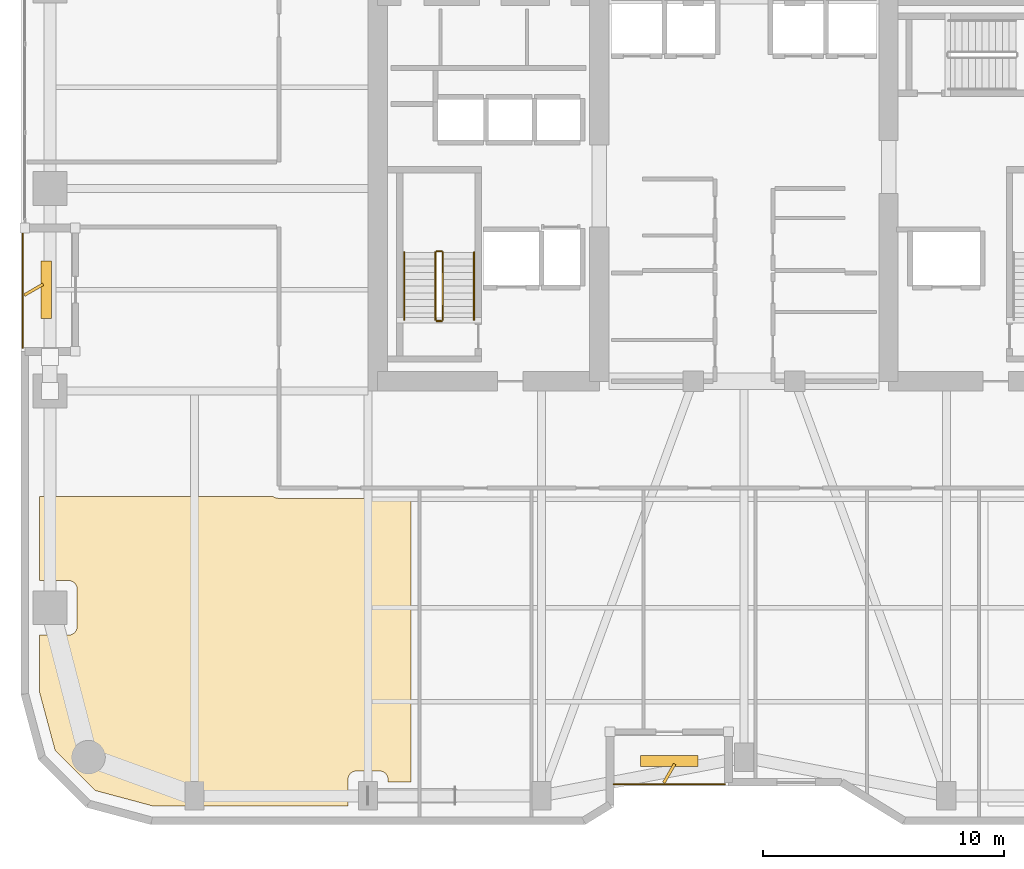
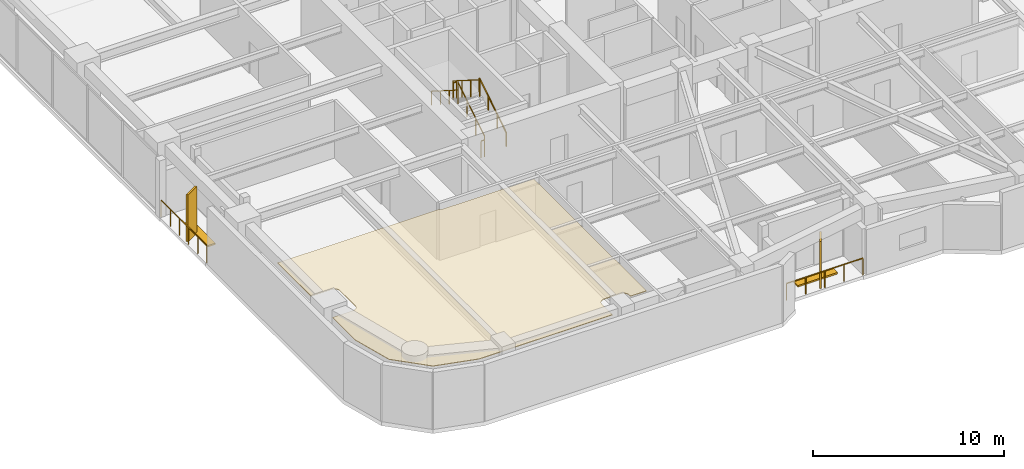
# One storey, part 22 of 24: 8 railings, 4 shading devices, 1 covering.
"""IFC4 building model written with IfcOpenShell, lengths in metres."""

from ifc_helpers import new_model, si_unit, direction, frame, origin, origin_2d, place, context, subcontext, project, spatial, polyline, rectangle, outline, extrude, material, layer, layer_set, type_object, element, save


model = new_model("IFC4")

# Units and contexts
model_context = context("Model", 3, precision=1e-05, world=origin(), true_north=direction((0.0, 1.0)))
body_context = subcontext(model_context, "Body", "Model", "MODEL_VIEW")
ifc_project = project(units=[si_unit("LENGTHUNIT", "METRE"), si_unit("AREAUNIT", "SQUARE_METRE"), si_unit("VOLUMEUNIT", "CUBIC_METRE"), si_unit("PLANEANGLEUNIT", "RADIAN"), si_unit("MASSUNIT", "GRAM", prefix="KILO")], contexts=[model_context])

# Site, building, storey
site_placement = place(None, origin())
site = spatial("IfcSite", under=ifc_project, at=site_placement, CompositionType="ELEMENT")
building_placement = place(site_placement, origin())
building = spatial("IfcBuilding", under=site, at=building_placement, Name="Kiyonajd Concourse Tower", CompositionType="ELEMENT")
storey_placement = place(building_placement, frame((0.0, 0.0, 129.89990234375)))
storey = spatial("IfcBuildingStorey", under=building, at=storey_placement, Name="L33", CompositionType="ELEMENT", Elevation=129.89990234375)

# Covering
ifc_material_1 = material(Name="Natural Oak Acoustic Timber Veneer", Category="wood")
ifc_layer = layer(ifc_material_1, 0.0400390625)
ifc_layer_set = layer_set([ifc_layer], Name="Natural Oak Acoustic Timber Veneer")
covering_type = type_object("IfcCoveringType", Name="CV-CLG-ACST", PredefinedType="CEILING", material=ifc_layer_set)
covering_placement = place(storey_placement, frame((0.0, 0.0, 3.460205078125)))
element("IfcCovering", 1, at=covering_placement, inside=storey, type_object=covering_type, Name="L33-43 Room Acoustic Ceiling", PredefinedType="CEILING", context=body_context, shape_type="SweptSolid", body=[
    extrude(outline(polyline([(19.4140625, 12.697998046875), (18.77001953125, 15.10107421875), (18.77001953125, 17.469970703125), (20.013916015625, 17.471923828125), (20.08203125, 17.485107421875), (20.14501953125, 17.510986328125), (20.201904296875, 17.549072265625), (20.2509765625, 17.597900390625), (20.2890625, 17.655029296875), (20.31494140625, 17.718017578125), (20.330078125, 17.820068359375), (20.327880859375, 19.4140625), (20.31494140625, 19.48193359375), (20.2890625, 19.544921875), (20.22705078125, 19.626953125), (20.14501953125, 19.68896484375), (20.048095703125, 19.722900390625), (19.97998046875, 19.72998046875), (18.77001953125, 19.72998046875), (18.77001953125, 23.219970703125), (28.451904296875, 23.219970703125), (28.507080078125, 23.18603515625), (28.570068359375, 23.159912109375), (28.699951171875, 23.139892578125), (34.18994140625, 23.139892578125), (34.18994140625, 11.3701171875), (33.22998046875, 11.3701171875), (33.222900390625, 11.548095703125), (33.202880859375, 11.614013671875), (33.1708984375, 11.674072265625), (33.126953125, 11.72705078125), (33.073974609375, 11.77099609375), (33.013916015625, 11.802978515625), (32.947998046875, 11.822998046875), (32.8798828125, 11.830078125), (31.919921875, 11.830078125), (31.85205078125, 11.822998046875), (31.785888671875, 11.802978515625), (31.697998046875, 11.7509765625), (31.64892578125, 11.701904296875), (31.611083984375, 11.64501953125), (31.576904296875, 11.548095703125), (31.570068359375, 11.47998046875), (31.570068359375, 10.3701171875), (23.5009765625, 10.3701171875), (21.097900390625, 11.013916015625), (19.4140625, 12.697998046875)])), origin(), (0.0, 0.0, 1.0), 0.039794921875),
])

# Railings
ifc_material_2 = material(Name="Thermally Broken Anodised Aluminium", Category="aluminium")
railing_type_1 = type_object("IfcRailingType", Name="RL-GRD-LOG", PredefinedType="GUARDRAIL", material=ifc_material_2)
railing_1_placement = place(storey_placement, frame((42.60009765625, 11.280029296875, 0.0)))
element("IfcRailing", 2, at=railing_1_placement, inside=storey, type_object=railing_type_1, Name="L33 Engawa Loggia Perimeter Guard LOG-S", PredefinedType="GUARDRAIL", context=body_context, shape_type="SweptSolid", body=[
    extrude(rectangle(XDim=0.048095703125, YDim=0.048095703125, at=origin_2d()), frame((0.0, 0.0, 1.076171875), z_axis=(1.0, 0.0, 0.0), x_axis=(0.0, 1.0, 0.0)), (0.0, 0.0, 1.0), 4.599853515625),
    extrude(rectangle(XDim=0.0419921875, YDim=0.0419921875, at=origin_2d()), origin(), (0.0, 0.0, 1.0), 1.052001953125),
    extrude(rectangle(XDim=0.0419921875, YDim=0.0419921875, at=origin_2d()), frame((1.14990234375, 0.0, 0.0)), (0.0, 0.0, 1.0), 1.052001953125),
    extrude(rectangle(XDim=0.0419921875, YDim=0.0419921875, at=origin_2d()), frame((2.2998046875, 0.0, 0.0)), (0.0, 0.0, 1.0), 1.052001953125),
    extrude(rectangle(XDim=0.0419921875, YDim=0.0419921875, at=origin_2d()), frame((3.449951171875, 0.0, 0.0)), (0.0, 0.0, 1.0), 1.052001953125),
    extrude(rectangle(XDim=0.0419921875, YDim=0.0419921875, at=origin_2d()), frame((4.599853515625, 0.0, 0.0)), (0.0, 0.0, 1.0), 1.052001953125),
])
railing_2_placement = place(storey_placement, frame((18.080078125, 34.199951171875, 0.0)))
element("IfcRailing", 3, at=railing_2_placement, inside=storey, type_object=railing_type_1, Name="L33 Engawa Loggia Perimeter Guard LOG-W", PredefinedType="GUARDRAIL", context=body_context, shape_type="SweptSolid", body=[
    extrude(rectangle(XDim=0.048095703125, YDim=0.048095703125, at=origin_2d()), frame((0.0, 0.0, 1.076171875), z_axis=(0.0, -1.0, 0.0), x_axis=(1.0, 0.0, 0.0)), (0.0, 0.0, 1.0), 4.800048828125),
    extrude(rectangle(XDim=0.0419921875, YDim=0.0419921875, at=origin_2d()), origin(), (0.0, 0.0, 1.0), 1.052001953125),
    extrude(rectangle(XDim=0.0419921875, YDim=0.0419921875, at=origin_2d()), frame((0.0, -0.9599609375, 0.0)), (0.0, 0.0, 1.0), 1.052001953125),
    extrude(rectangle(XDim=0.0419921875, YDim=0.0419921875, at=origin_2d()), frame((0.0, -1.919921875, 0.0)), (0.0, 0.0, 1.0), 1.052001953125),
    extrude(rectangle(XDim=0.0419921875, YDim=0.0419921875, at=origin_2d()), frame((0.0, -2.880126953125, 0.0)), (0.0, 0.0, 1.0), 1.052001953125),
    extrude(rectangle(XDim=0.0419921875, YDim=0.0419921875, at=origin_2d()), frame((0.0, -3.840087890625, 0.0)), (0.0, 0.0, 1.0), 1.052001953125),
    extrude(rectangle(XDim=0.0419921875, YDim=0.0419921875, at=origin_2d()), frame((0.0, -4.800048828125, 0.0)), (0.0, 0.0, 1.0), 1.052001953125),
])
ifc_material_3 = material(Name="Steel ASTM A500 Grade C", Category="steel")
railing_type_2 = type_object("IfcRailingType", Name="RL-GRD-STR", PredefinedType="GUARDRAIL", material=ifc_material_3)
railing_3_placement = place(storey_placement, frame((35.5, 30.550048828125, 0.177490234375)))
element("IfcRailing", 4, at=railing_3_placement, inside=storey, type_object=railing_type_2, Name="L33 ST1 stair guard 1", PredefinedType="GUARDRAIL", context=body_context, shape_type="SweptSolid", body=[
    extrude(rectangle(XDim=0.048095703125, YDim=0.048095703125, at=origin_2d()), frame((0.0, 0.0, 1.076171875), z_axis=(0.0, 0.844908973607, 0.534910110503), x_axis=(-1.0, 0.0, 0.0)), (0.0, 0.0, 1.0), 3.31396484375),
    extrude(rectangle(XDim=0.0419921875, YDim=0.0419921875, at=origin_2d()), origin(), (0.0, 0.0, 1.0), 1.052001953125),
    extrude(rectangle(XDim=0.0419921875, YDim=0.0419921875, at=origin_2d()), frame((0.0, 0.933349609375, 0.5908203125)), (0.0, 0.0, 1.0), 1.052001953125),
    extrude(rectangle(XDim=0.0419921875, YDim=0.0419921875, at=origin_2d()), frame((0.0, 1.86669921875, 1.181884765625)), (0.0, 0.0, 1.0), 1.052001953125),
    extrude(rectangle(XDim=0.0419921875, YDim=0.0419921875, at=origin_2d()), frame((0.0, 2.800048828125, 1.772705078125)), (0.0, 0.0, 1.0), 1.052001953125),
])
railing_4_placement = place(storey_placement, frame((35.449951171875, 33.39990234375, 1.9501953125)))
element("IfcRailing", 5, at=railing_4_placement, inside=storey, type_object=railing_type_2, Name="L33 ST1 stair guard 2", PredefinedType="GUARDRAIL", context=body_context, shape_type="SweptSolid", body=[
    extrude(rectangle(XDim=0.048095703125, YDim=0.048095703125, at=origin_2d()), frame((0.0, 0.0, 1.076171875), z_axis=(-1.0, 0.0, 0.0), x_axis=(0.0, -1.0, 0.0)), (0.0, 0.0, 1.0), 0.199951171875),
    extrude(rectangle(XDim=0.0419921875, YDim=0.0419921875, at=origin_2d()), origin(), (0.0, 0.0, 1.0), 1.052001953125),
    extrude(rectangle(XDim=0.0419921875, YDim=0.0419921875, at=origin_2d()), frame((-0.199951171875, 0.0, 0.0)), (0.0, 0.0, 1.0), 1.052001953125),
])
railing_5_placement = place(storey_placement, frame((35.199951171875, 33.35009765625, 2.12744140625)))
element("IfcRailing", 6, at=railing_5_placement, inside=storey, type_object=railing_type_2, Name="L33 ST1 stair guard 3", PredefinedType="GUARDRAIL", context=body_context, shape_type="SweptSolid", body=[
    extrude(rectangle(XDim=0.048095703125, YDim=0.048095703125, at=origin_2d()), frame((0.0, 0.0, 1.076171875), z_axis=(0.0, -0.844908973607, 0.534910110503), x_axis=(1.0, 0.0, 0.0)), (0.0, 0.0, 1.0), 3.31396484375),
    extrude(rectangle(XDim=0.0419921875, YDim=0.0419921875, at=origin_2d()), origin(), (0.0, 0.0, 1.0), 1.052001953125),
    extrude(rectangle(XDim=0.0419921875, YDim=0.0419921875, at=origin_2d()), frame((0.0, -0.933349609375, 0.5908203125)), (0.0, 0.0, 1.0), 1.052001953125),
    extrude(rectangle(XDim=0.0419921875, YDim=0.0419921875, at=origin_2d()), frame((0.0, -1.86669921875, 1.181884765625)), (0.0, 0.0, 1.0), 1.052001953125),
    extrude(rectangle(XDim=0.0419921875, YDim=0.0419921875, at=origin_2d()), frame((0.0, -2.800048828125, 1.772705078125)), (0.0, 0.0, 1.0), 1.052001953125),
])
railing_6_placement = place(storey_placement, frame((35.449951171875, 30.5, 0.0)))
element("IfcRailing", 7, at=railing_6_placement, inside=storey, type_object=railing_type_2, Name="L33 ST1 stair guard 4", PredefinedType="GUARDRAIL", context=body_context, shape_type="SweptSolid", body=[
    extrude(rectangle(XDim=0.048095703125, YDim=0.048095703125, at=origin_2d()), frame((0.0, 0.0, 1.076171875), z_axis=(-1.0, 0.0, 0.0), x_axis=(0.0, -1.0, 0.0)), (0.0, 0.0, 1.0), 0.199951171875),
    extrude(rectangle(XDim=0.0419921875, YDim=0.0419921875, at=origin_2d()), origin(), (0.0, 0.0, 1.0), 1.052001953125),
    extrude(rectangle(XDim=0.0419921875, YDim=0.0419921875, at=origin_2d()), frame((-0.199951171875, 0.0, 0.0)), (0.0, 0.0, 1.0), 1.052001953125),
])
ifc_material_4 = material(Name="Brushed Stainless Steel Cab Assembly", Category="steel")
railing_type_3 = type_object("IfcRailingType", Name="RL-HND-900", PredefinedType="HANDRAIL", material=ifc_material_4)
railing_7_placement = place(storey_placement, frame((36.800048828125, 30.550048828125, 0.177490234375)))
element("IfcRailing", 8, at=railing_7_placement, inside=storey, type_object=railing_type_3, Name="L33 ST1 stair handrail 1", PredefinedType="HANDRAIL", context=body_context, shape_type="SweptSolid", body=[
    extrude(rectangle(XDim=0.048095703125, YDim=0.048095703125, at=origin_2d()), frame((0.0, 0.0, 0.8759765625), z_axis=(0.0, 0.844908973607, 0.534910110503), x_axis=(-1.0, 0.0, 0.0)), (0.0, 0.0, 1.0), 3.31396484375),
    extrude(rectangle(XDim=0.0419921875, YDim=0.0419921875, at=origin_2d()), origin(), (0.0, 0.0, 1.0), 0.851806640625),
    extrude(rectangle(XDim=0.0419921875, YDim=0.0419921875, at=origin_2d()), frame((0.0, 0.933349609375, 0.5908203125)), (0.0, 0.0, 1.0), 0.851806640625),
    extrude(rectangle(XDim=0.0419921875, YDim=0.0419921875, at=origin_2d()), frame((0.0, 1.86669921875, 1.181884765625)), (0.0, 0.0, 1.0), 0.851806640625),
    extrude(rectangle(XDim=0.0419921875, YDim=0.0419921875, at=origin_2d()), frame((0.0, 2.800048828125, 1.772705078125)), (0.0, 0.0, 1.0), 0.851806640625),
])
railing_8_placement = place(storey_placement, frame((33.89990234375, 33.35009765625, 2.12744140625)))
element("IfcRailing", 9, at=railing_8_placement, inside=storey, type_object=railing_type_3, Name="L33 ST1 stair handrail 2", PredefinedType="HANDRAIL", context=body_context, shape_type="SweptSolid", body=[
    extrude(rectangle(XDim=0.048095703125, YDim=0.048095703125, at=origin_2d()), frame((0.0, 0.0, 0.8759765625), z_axis=(0.0, -0.844908973607, 0.534910110503), x_axis=(1.0, 0.0, 0.0)), (0.0, 0.0, 1.0), 3.31396484375),
    extrude(rectangle(XDim=0.0419921875, YDim=0.0419921875, at=origin_2d()), origin(), (0.0, 0.0, 1.0), 0.851806640625),
    extrude(rectangle(XDim=0.0419921875, YDim=0.0419921875, at=origin_2d()), frame((0.0, -0.933349609375, 0.5908203125)), (0.0, 0.0, 1.0), 0.851806640625),
    extrude(rectangle(XDim=0.0419921875, YDim=0.0419921875, at=origin_2d()), frame((0.0, -1.86669921875, 1.181884765625)), (0.0, 0.0, 1.0), 0.851806640625),
    extrude(rectangle(XDim=0.0419921875, YDim=0.0419921875, at=origin_2d()), frame((0.0, -2.800048828125, 1.772705078125)), (0.0, 0.0, 1.0), 0.851806640625),
])

# Shading devices
ifc_material_5 = material(Name="Precast concrete C50/60", Category="concrete")
shading_device_type_1 = type_object("IfcShadingDeviceType", Name="SH-FIN-900", PredefinedType="USERDEFINED", material=ifc_material_5)
for number, where, z_axis, x_axis, name in (
    (10, (44.89990234375, 11.72998046875, 0.0), (0.0, 0.0, 1.0), (0.5, 0.866025403784, 0.0), "L33 Angled Koshi Solar Fin LOG-S"),
    (11, (18.530029296875, 31.800048828125, 0.0), (0.0, 0.0, 1.0), (0.866025403784, 0.5, 0.0), "L33 Angled Koshi Solar Fin LOG-W"),
):
    element("IfcShadingDevice", number, at=place(storey_placement, frame(where, z_axis=z_axis, x_axis=x_axis)), inside=storey, type_object=shading_device_type_1, Name=name, ObjectType="FIN", PredefinedType="USERDEFINED", context=body_context, shape_type="SweptSolid", body=[
        extrude(rectangle(XDim=0.89990234375, YDim=0.1201171875, at=origin_2d()), origin(), (0.0, 0.0, 1.0), 3.0),
    ])
shading_device_type_2 = type_object("IfcShadingDeviceType", Name="SH-LVR-600", PredefinedType="JALOUSIE", material=ifc_material_2)
for number, where, z_axis, x_axis, name in (
    (12, (44.89990234375, 12.25, 0.0), (0.0, 0.0, 1.0), (1.0, 0.0, 0.0), "L33 Loggia Threshold Louver LOG-S"),
    (13, (19.050048828125, 31.800048828125, 0.0), (0.0, 0.0, 1.0), (0.0, 1.0, 0.0), "L33 Loggia Threshold Louver LOG-W"),
):
    element("IfcShadingDevice", number, at=place(storey_placement, frame(where, z_axis=z_axis, x_axis=x_axis)), inside=storey, type_object=shading_device_type_2, Name=name, PredefinedType="JALOUSIE", context=body_context, shape_type="SweptSolid", body=[
        extrude(rectangle(XDim=2.39990234375, YDim=0.449951171875, at=origin_2d()), origin(), (0.0, 0.0, 1.0), 0.10009765625),
    ])

save(model, "model.ifc")
